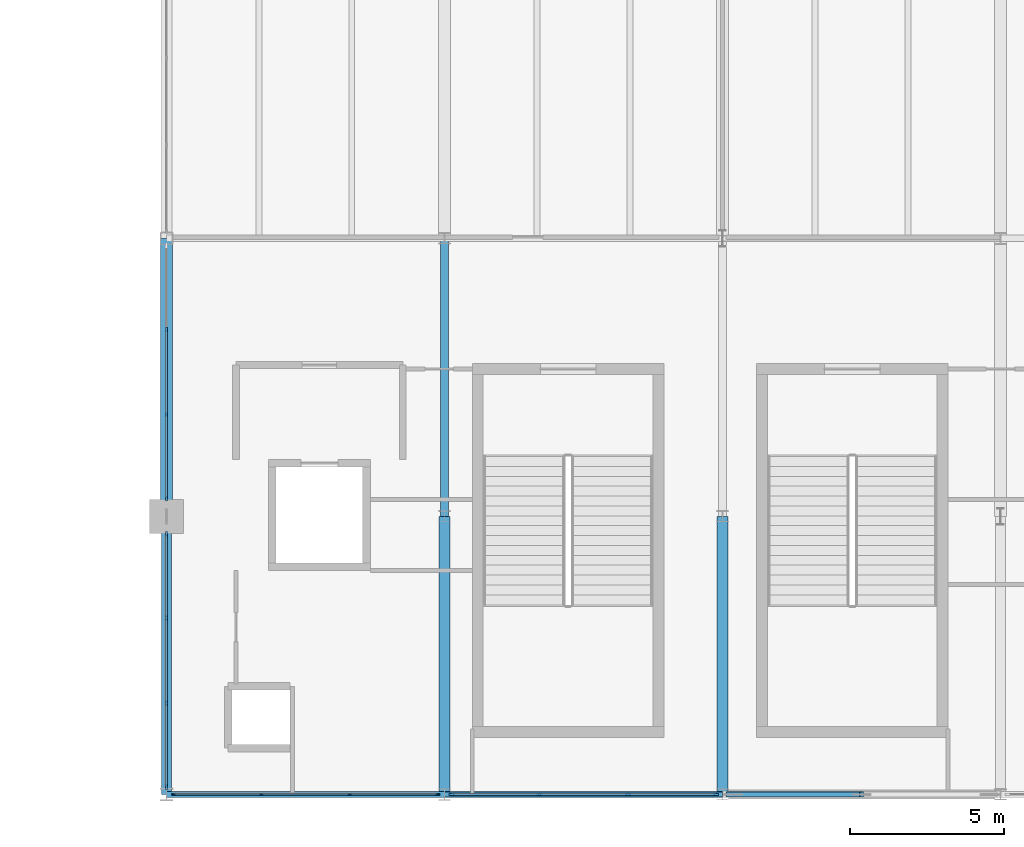
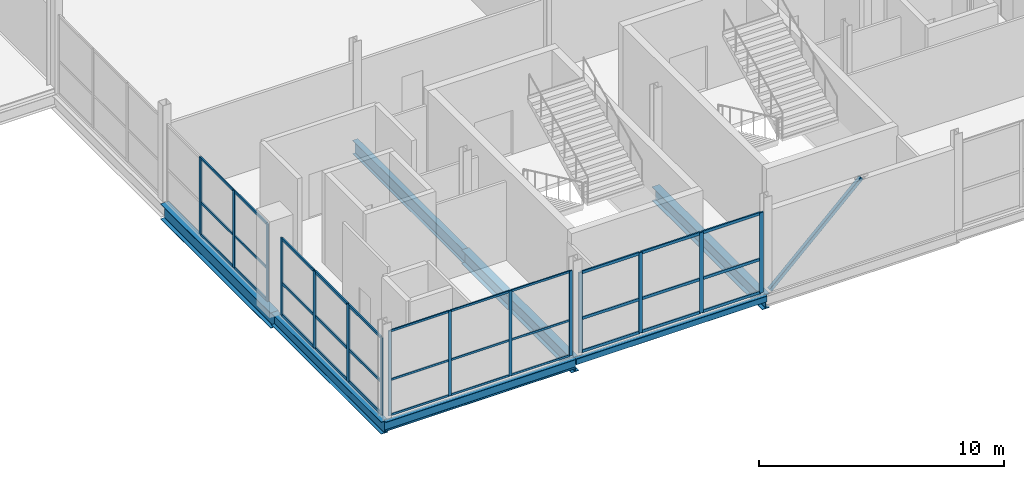
# One storey, part 8 of 50: 49 members, 7 beams, 4 elements without a shape of their own.
"""IFC4 building model written with IfcOpenShell, lengths in metres."""

from ifc_helpers import new_model, si_unit, direction, frame, origin, origin_2d, place, context, subcontext, project, spatial, rectangle, hollow_rectangle, i_section, extrude, material, layer, layer_set, material_profile, profile_set, type_object, element, aggregate, save


model = new_model("IFC4")

# Units and contexts
model_context = context("Model", 3, precision=1e-05, world=origin(), true_north=direction((0.0, 1.0)))
body_context = subcontext(model_context, "Body", "Model", "MODEL_VIEW")
ifc_project = project(units=[si_unit("LENGTHUNIT", "METRE"), si_unit("AREAUNIT", "SQUARE_METRE"), si_unit("VOLUMEUNIT", "CUBIC_METRE"), si_unit("PLANEANGLEUNIT", "RADIAN"), si_unit("MASSUNIT", "GRAM", prefix="KILO")], contexts=[model_context])

# Site, building, storey
site_placement = place(None, origin())
site = spatial("IfcSite", under=ifc_project, at=site_placement, CompositionType="ELEMENT")
building_placement = place(site_placement, origin())
building = spatial("IfcBuilding", under=site, at=building_placement, Name="Qamarlyn Nura Convention Centre", CompositionType="ELEMENT")
storey_placement = place(building_placement, frame((0.0, 0.0, 20.39990234375)))
storey = spatial("IfcBuildingStorey", under=building, at=storey_placement, Name="L04", CompositionType="ELEMENT", Elevation=20.39990234375)

# Beams
ifc_material_1 = material(Name="Steel ASTM A992", Category="steel")
ifc_material_profile_1 = material_profile(ifc_material_1, i_section(OverallWidth=0.323974609375, OverallDepth=0.611083984375, WebThickness=0.0126953125, FlangeThickness=0.01904296875, FilletRadius=0.01611328125, at=origin_2d()), Name="W610X155")
ifc_profile_set_1 = profile_set([ifc_material_profile_1], Name="Steel ASTM A992")
beam_type_1 = type_object("IfcBeamType", Name="BM-GIRD-610", PredefinedType="BEAM", material=ifc_profile_set_1)
beam_1_placement = place(storey_placement, frame((153.0, 0.0, -0.50537109375), z_axis=(0.0, 1.0, 0.0), x_axis=(-1.0, 0.0, 0.0)))
element("IfcBeam", 1, at=beam_1_placement, inside=storey, type_object=beam_type_1, Name="L04 girder 13 A-B", PredefinedType="BEAM", context=body_context, shape_type="SweptSolid", body=[
    extrude(i_section(OverallWidth=0.323974609375, OverallDepth=0.611083984375, WebThickness=0.0126953125, FlangeThickness=0.01904296875, FilletRadius=0.01611328125, at=origin_2d()), origin(), (0.0, 0.0, 1.0), 9.0),
])
ifc_material_profile_2 = material_profile(ifc_material_1, i_section(OverallWidth=0.35498046875, OverallDepth=0.695068359375, WebThickness=0.015380859375, FlangeThickness=0.02490234375, FilletRadius=0.01806640625, at=origin_2d()), Name="W690X217")
ifc_profile_set_2 = profile_set([ifc_material_profile_2], Name="Steel ASTM A992")
beam_type_2 = type_object("IfcBeamType", Name="BM-GIRD-690A", PredefinedType="BEAM", material=ifc_profile_set_2)
for number, where, z_axis, x_axis, name in (
    (2, (162.0, 0.0, -0.54736328125), (0.0, 1.0, 0.0), (-1.0, 0.0, 0.0), "L04 girder 14 A-B"),
    (3, (171.0, 0.0, -0.54736328125), (0.0, 1.0, 0.0), (-1.0, 0.0, 0.0), "L04 girder 15 A-B"),
):
    element("IfcBeam", number, at=place(storey_placement, frame(where, z_axis=z_axis, x_axis=x_axis)), inside=storey, type_object=beam_type_2, Name=name, PredefinedType="BEAM", context=body_context, shape_type="SweptSolid", body=[
        extrude(i_section(OverallWidth=0.35498046875, OverallDepth=0.695068359375, WebThickness=0.015380859375, FlangeThickness=0.02490234375, FilletRadius=0.01806640625, at=origin_2d()), origin(), (0.0, 0.0, 1.0), 9.0),
    ])
ifc_material_profile_3 = material_profile(ifc_material_1, i_section(OverallWidth=0.25390625, OverallDepth=0.68408203125, WebThickness=0.012451171875, FlangeThickness=0.01904296875, FilletRadius=0.01806640625, at=origin_2d()), Name="W690X140")
ifc_profile_set_3 = profile_set([ifc_material_profile_3], Name="Steel ASTM A992")
beam_type_3 = type_object("IfcBeamType", Name="BM-GIRD-690B", PredefinedType="BEAM", material=ifc_profile_set_3)
beam_2_placement = place(storey_placement, frame((162.0, 9.0, -0.5419921875), z_axis=(0.0, 1.0, 0.0), x_axis=(-1.0, 0.0, 0.0)))
element("IfcBeam", 4, at=beam_2_placement, inside=storey, type_object=beam_type_3, Name="L04 girder 14 B-C", PredefinedType="BEAM", context=body_context, shape_type="SweptSolid", body=[
    extrude(i_section(OverallWidth=0.25390625, OverallDepth=0.68408203125, WebThickness=0.012451171875, FlangeThickness=0.01904296875, FilletRadius=0.01806640625, at=origin_2d()), origin(), (0.0, 0.0, 1.0), 9.0),
])
ifc_material_profile_4 = material_profile(ifc_material_1, i_section(OverallWidth=0.381103515625, OverallDepth=0.77294921875, WebThickness=0.0166015625, FlangeThickness=0.027587890625, FilletRadius=0.02001953125, at=origin_2d()), Name="W760X257")
ifc_profile_set_4 = profile_set([ifc_material_profile_4], Name="Steel ASTM A992")
beam_type_4 = type_object("IfcBeamType", Name="BM-GIRD-760", PredefinedType="BEAM", material=ifc_profile_set_4)
beam_3_placement = place(storey_placement, frame((153.0, 9.0, -0.58642578125), z_axis=(0.0, 1.0, 0.0), x_axis=(-1.0, 0.0, 0.0)))
element("IfcBeam", 5, at=beam_3_placement, inside=storey, type_object=beam_type_4, Name="L04 girder 13 B-C", PredefinedType="BEAM", context=body_context, shape_type="SweptSolid", body=[
    extrude(i_section(OverallWidth=0.381103515625, OverallDepth=0.77294921875, WebThickness=0.0166015625, FlangeThickness=0.027587890625, FilletRadius=0.02001953125, at=origin_2d()), origin(), (0.0, 0.0, 1.0), 9.0),
])
ifc_material_profile_5 = material_profile(ifc_material_1, i_section(OverallWidth=0.193115234375, OverallDepth=0.466064453125, WebThickness=0.011474609375, FlangeThickness=0.01904296875, FilletRadius=0.012939453125, at=origin_2d()), Name="W460X97")
ifc_profile_set_5 = profile_set([ifc_material_profile_5], Name="Steel ASTM A992")
beam_type_5 = type_object("IfcBeamType", Name="BM-SPAN-460", PredefinedType="SPANDREL", material=ifc_profile_set_5)
beam_4_placement = place(storey_placement, frame((153.0, 0.0, -0.432861328125), z_axis=(1.0, 0.0, 0.0), x_axis=(0.0, 1.0, 0.0)))
element("IfcBeam", 6, at=beam_4_placement, inside=storey, type_object=beam_type_5, Name="L04 girder A 13-14", PredefinedType="SPANDREL", context=body_context, shape_type="SweptSolid", body=[
    extrude(i_section(OverallWidth=0.193115234375, OverallDepth=0.466064453125, WebThickness=0.011474609375, FlangeThickness=0.01904296875, FilletRadius=0.012939453125, at=origin_2d()), origin(), (0.0, 0.0, 1.0), 9.0),
])
ifc_material_2 = material(Name="Steel ASTM A500 Grade C", Category="steel")
ifc_material_profile_6 = material_profile(ifc_material_2, hollow_rectangle(XDim=0.199951171875, YDim=0.300048828125, WallThickness=0.012451171875, InnerFilletRadius=0.012451171875, OuterFilletRadius=0.02490234375, at=origin_2d()), Name="HSS300X200X12.5")
ifc_profile_set_6 = profile_set([ifc_material_profile_6], Name="Steel ASTM A500 Grade C")
beam_type_6 = type_object("IfcBeamType", Name="BM-SPAN-HSS", PredefinedType="SPANDREL", material=ifc_profile_set_6)
beam_5_placement = place(storey_placement, frame((162.0, 0.0, -0.349853515625), z_axis=(1.0, 0.0, 0.0), x_axis=(0.0, 1.0, 0.0)))
element("IfcBeam", 7, at=beam_5_placement, inside=storey, type_object=beam_type_6, Name="L04 girder A 14-15", PredefinedType="SPANDREL", context=body_context, shape_type="SweptSolid", body=[
    extrude(hollow_rectangle(XDim=0.199951171875, YDim=0.300048828125, WallThickness=0.012451171875, InnerFilletRadius=0.012451171875, OuterFilletRadius=0.02490234375, at=origin_2d()), origin(), (0.0, 0.0, 1.0), 9.0),
])

# Member
ifc_material_profile_7 = material_profile(ifc_material_2, hollow_rectangle(XDim=0.179931640625, YDim=0.179931640625, WallThickness=0.008056640625, InnerFilletRadius=0.008056640625, OuterFilletRadius=0.01611328125, at=origin_2d()), Name="HSS180X180X8")
ifc_profile_set_7 = profile_set([ifc_material_profile_7], Name="Steel ASTM A500 Grade C")
member_type_1 = type_object("IfcMemberType", Name="CBF-BRC-180", PredefinedType="BRACE", material=ifc_profile_set_7)
member_1_placement = place(storey_placement, frame((171.179931640625, 0.0, 0.0), z_axis=(0.725843807895, 0.0, 0.687859554371), x_axis=(0.0, 1.0, 0.0)))
element("IfcMember", 8, at=member_1_placement, inside=storey, type_object=member_type_1, Name="L04 SCBF chevron brace CBF-E1L", PredefinedType="BRACE", context=body_context, shape_type="SweptSolid", body=[
    extrude(hollow_rectangle(XDim=0.179931640625, YDim=0.179931640625, WallThickness=0.008056640625, InnerFilletRadius=0.008056640625, OuterFilletRadius=0.01611328125, at=origin_2d()), origin(), (0.0, 0.0, 1.0), 5.951904296875),
])

# Curtain wall, members
ifc_material_3 = material(Name="Double-silver low-E insulated glass", Category="glass")
ifc_layer_1 = layer(ifc_material_3, 0.179931640625, Name="CW-UNIT-141")
ifc_layer_set_1 = layer_set([ifc_layer_1], Name="Double-silver low-E insulated glass")
curtain_wall_type_1 = type_object("IfcCurtainWallType", Name="CW-UNIT-141", PredefinedType="NOTDEFINED", material=ifc_layer_set_1)
curtain_wall_1_placement = place(storey_placement, origin())
curtain_wall_1 = element("IfcCurtainWall", 9, at=curtain_wall_1_placement, inside=storey, type_object=curtain_wall_type_1, Name="L04 unitised curtain wall STH-1-1", PredefinedType="NOTDEFINED")
ifc_material_4 = material(Name="Champagne-anodised marine aluminium", Category="aluminium")
ifc_material_profile_8 = material_profile(ifc_material_4, rectangle(XDim=0.06005859375, YDim=0.139892578125, at=origin_2d()), Name="ALU MULLION 60x140")
ifc_profile_set_8 = profile_set([ifc_material_profile_8], Name="Champagne-anodised marine aluminium")
member_type_2 = type_object("IfcMemberType", Name="CWM-140", PredefinedType="MULLION", material=ifc_profile_set_8)
member_2_placement = place(storey_placement, frame((161.7705078125, 0.0, 0.0), z_axis=(0.0, 0.0, 1.0), x_axis=(0.0, -1.0, 0.0)))
member_2 = element("IfcMember", 10, at=member_2_placement, type_object=member_type_2, Name="CW141 mullion 1", PredefinedType="MULLION", context=body_context, shape_type="SweptSolid", body=[
    extrude(rectangle(XDim=0.06005859375, YDim=0.139892578125, at=origin_2d()), origin(), (0.0, 0.0, 1.0), 4.2451171875),
])
member_3_placement = place(storey_placement, frame((158.93505859375, 0.0, 0.0), z_axis=(0.0, 0.0, 1.0), x_axis=(0.0, -1.0, 0.0)))
member_3 = element("IfcMember", 11, at=member_3_placement, type_object=member_type_2, Name="CW141 mullion 2", PredefinedType="MULLION", context=body_context, shape_type="SweptSolid", body=[
    extrude(rectangle(XDim=0.06005859375, YDim=0.139892578125, at=origin_2d()), origin(), (0.0, 0.0, 1.0), 4.2451171875),
])
member_4_placement = place(storey_placement, frame((156.06982421875, 0.0, 0.0), z_axis=(0.0, 0.0, 1.0), x_axis=(0.0, -1.0, 0.0)))
member_4 = element("IfcMember", 12, at=member_4_placement, type_object=member_type_2, Name="CW141 mullion 3", PredefinedType="MULLION", context=body_context, shape_type="SweptSolid", body=[
    extrude(rectangle(XDim=0.06005859375, YDim=0.139892578125, at=origin_2d()), origin(), (0.0, 0.0, 1.0), 4.2451171875),
])
member_5_placement = place(storey_placement, frame((153.234619140625, 0.0, 0.0), z_axis=(0.0, 0.0, 1.0), x_axis=(0.0, -1.0, 0.0)))
member_5 = element("IfcMember", 13, at=member_5_placement, type_object=member_type_2, Name="CW141 mullion 4", PredefinedType="MULLION", context=body_context, shape_type="SweptSolid", body=[
    extrude(rectangle(XDim=0.06005859375, YDim=0.139892578125, at=origin_2d()), origin(), (0.0, 0.0, 1.0), 4.2451171875),
])

ifc_layer_2 = layer(ifc_material_3, 0.179931640625, Name="CW-UNIT-145")
ifc_layer_set_2 = layer_set([ifc_layer_2], Name="Double-silver low-E insulated glass")
curtain_wall_type_2 = type_object("IfcCurtainWallType", Name="CW-UNIT-145", PredefinedType="NOTDEFINED", material=ifc_layer_set_2)
curtain_wall_2_placement = place(storey_placement, origin())
curtain_wall_2 = element("IfcCurtainWall", 14, at=curtain_wall_2_placement, inside=storey, type_object=curtain_wall_type_2, Name="L04 unitised curtain wall FCW-9-1", PredefinedType="NOTDEFINED")
ifc_material_profile_9 = material_profile(ifc_material_4, rectangle(XDim=0.06494140625, YDim=0.159912109375, at=origin_2d()), Name="ALU MULLION 65x160")
ifc_profile_set_9 = profile_set([ifc_material_profile_9], Name="Champagne-anodised marine aluminium")
member_type_3 = type_object("IfcMemberType", Name="CWM-160", PredefinedType="MULLION", material=ifc_profile_set_9)
member_6_placement = place(storey_placement, frame((153.0, 9.58251953125, 0.0), z_axis=(0.0, 0.0, 1.0), x_axis=(-1.0, 0.0, 0.0)))
member_6 = element("IfcMember", 15, at=member_6_placement, type_object=member_type_3, Name="CW145 mullion 1", PredefinedType="MULLION", context=body_context, shape_type="SweptSolid", body=[
    extrude(rectangle(XDim=0.06494140625, YDim=0.159912109375, at=origin_2d()), origin(), (0.0, 0.0, 1.0), 3.861083984375),
])
member_7_placement = place(storey_placement, frame((153.0, 12.300048828125, 0.0), z_axis=(0.0, 0.0, 1.0), x_axis=(-1.0, 0.0, 0.0)))
member_7 = element("IfcMember", 16, at=member_7_placement, type_object=member_type_3, Name="CW145 mullion 2", PredefinedType="MULLION", context=body_context, shape_type="SweptSolid", body=[
    extrude(rectangle(XDim=0.06494140625, YDim=0.159912109375, at=origin_2d()), origin(), (0.0, 0.0, 1.0), 3.861083984375),
])
member_8_placement = place(storey_placement, frame((153.0, 15.050048828125, 0.0), z_axis=(0.0, 0.0, 1.0), x_axis=(-1.0, 0.0, 0.0)))
member_8 = element("IfcMember", 17, at=member_8_placement, type_object=member_type_3, Name="CW145 mullion 3", PredefinedType="MULLION", context=body_context, shape_type="SweptSolid", body=[
    extrude(rectangle(XDim=0.06494140625, YDim=0.159912109375, at=origin_2d()), origin(), (0.0, 0.0, 1.0), 3.861083984375),
])

ifc_layer_3 = layer(ifc_material_3, 0.179931640625, Name="CW-UNIT-142")
ifc_layer_set_3 = layer_set([ifc_layer_3], Name="Double-silver low-E insulated glass")
curtain_wall_type_3 = type_object("IfcCurtainWallType", Name="CW-UNIT-142", PredefinedType="NOTDEFINED", material=ifc_layer_set_3)
curtain_wall_3_placement = place(storey_placement, origin())
curtain_wall_3 = element("IfcCurtainWall", 18, at=curtain_wall_3_placement, inside=storey, type_object=curtain_wall_type_3, Name="L04 unitised curtain wall STH-2-1", PredefinedType="NOTDEFINED")
ifc_material_profile_10 = material_profile(ifc_material_4, rectangle(XDim=0.070068359375, YDim=0.179931640625, at=origin_2d()), Name="ALU MULLION 70x180")
ifc_profile_set_10 = profile_set([ifc_material_profile_10], Name="Champagne-anodised marine aluminium")
member_type_4 = type_object("IfcMemberType", Name="CWM-180", PredefinedType="MULLION", material=ifc_profile_set_10)
member_9_placement = place(storey_placement, frame((170.778076171875, 0.0, 0.0), z_axis=(0.0, 0.0, 1.0), x_axis=(0.0, -1.0, 0.0)))
member_9 = element("IfcMember", 19, at=member_9_placement, type_object=member_type_4, Name="CW142 mullion 1", PredefinedType="MULLION", context=body_context, shape_type="SweptSolid", body=[
    extrude(rectangle(XDim=0.070068359375, YDim=0.179931640625, at=origin_2d()), origin(), (0.0, 0.0, 1.0), 4.006103515625),
])
member_10_placement = place(storey_placement, frame((167.94189453125, 0.0, 0.0), z_axis=(0.0, 0.0, 1.0), x_axis=(0.0, -1.0, 0.0)))
member_10 = element("IfcMember", 20, at=member_10_placement, type_object=member_type_4, Name="CW142 mullion 2", PredefinedType="MULLION", context=body_context, shape_type="SweptSolid", body=[
    extrude(rectangle(XDim=0.070068359375, YDim=0.179931640625, at=origin_2d()), origin(), (0.0, 0.0, 1.0), 4.006103515625),
])
member_11_placement = place(storey_placement, frame((165.070556640625, 0.0, 0.0), z_axis=(0.0, 0.0, 1.0), x_axis=(0.0, -1.0, 0.0)))
member_11 = element("IfcMember", 21, at=member_11_placement, type_object=member_type_4, Name="CW142 mullion 3", PredefinedType="MULLION", context=body_context, shape_type="SweptSolid", body=[
    extrude(rectangle(XDim=0.070068359375, YDim=0.179931640625, at=origin_2d()), origin(), (0.0, 0.0, 1.0), 4.006103515625),
])
member_12_placement = place(storey_placement, frame((162.234619140625, 0.0, 0.0), z_axis=(0.0, 0.0, 1.0), x_axis=(0.0, -1.0, 0.0)))
member_12 = element("IfcMember", 22, at=member_12_placement, type_object=member_type_4, Name="CW142 mullion 4", PredefinedType="MULLION", context=body_context, shape_type="SweptSolid", body=[
    extrude(rectangle(XDim=0.070068359375, YDim=0.179931640625, at=origin_2d()), origin(), (0.0, 0.0, 1.0), 4.006103515625),
])

curtain_wall_4_placement = place(storey_placement, origin())
curtain_wall_4 = element("IfcCurtainWall", 23, at=curtain_wall_4_placement, inside=storey, type_object=curtain_wall_type_2, Name="L04 unitised curtain wall FCW-0-1", PredefinedType="NOTDEFINED")
member_13_placement = place(storey_placement, frame((153.0, 0.24755859375, 0.0), z_axis=(0.0, 0.0, 1.0), x_axis=(-1.0, 0.0, 0.0)))
member_13 = element("IfcMember", 24, at=member_13_placement, type_object=member_type_4, Name="CW145 mullion 1", PredefinedType="MULLION", context=body_context, shape_type="SweptSolid", body=[
    extrude(rectangle(XDim=0.070068359375, YDim=0.179931640625, at=origin_2d()), origin(), (0.0, 0.0, 1.0), 3.85009765625),
])
member_14_placement = place(storey_placement, frame((153.0, 2.958251953125, 0.0), z_axis=(0.0, 0.0, 1.0), x_axis=(-1.0, 0.0, 0.0)))
member_14 = element("IfcMember", 25, at=member_14_placement, type_object=member_type_4, Name="CW145 mullion 2", PredefinedType="MULLION", context=body_context, shape_type="SweptSolid", body=[
    extrude(rectangle(XDim=0.070068359375, YDim=0.179931640625, at=origin_2d()), origin(), (0.0, 0.0, 1.0), 3.85009765625),
])
member_15_placement = place(storey_placement, frame((153.0, 5.7041015625, 0.0), z_axis=(0.0, 0.0, 1.0), x_axis=(-1.0, 0.0, 0.0)))
member_15 = element("IfcMember", 26, at=member_15_placement, type_object=member_type_4, Name="CW145 mullion 3", PredefinedType="MULLION", context=body_context, shape_type="SweptSolid", body=[
    extrude(rectangle(XDim=0.070068359375, YDim=0.179931640625, at=origin_2d()), origin(), (0.0, 0.0, 1.0), 3.85009765625),
])
member_16_placement = place(storey_placement, frame((153.0, 8.4150390625, 0.0), z_axis=(0.0, 0.0, 1.0), x_axis=(-1.0, 0.0, 0.0)))
member_16 = element("IfcMember", 27, at=member_16_placement, type_object=member_type_4, Name="CW145 mullion 4", PredefinedType="MULLION", context=body_context, shape_type="SweptSolid", body=[
    extrude(rectangle(XDim=0.070068359375, YDim=0.179931640625, at=origin_2d()), origin(), (0.0, 0.0, 1.0), 3.85009765625),
])

# Member
ifc_material_profile_11 = material_profile(ifc_material_4, rectangle(XDim=0.06005859375, YDim=0.10009765625, at=origin_2d()), Name="ALU TRANSOM 60x100")
ifc_profile_set_11 = profile_set([ifc_material_profile_11], Name="Champagne-anodised marine aluminium")
member_type_5 = type_object("IfcMemberType", Name="CWT-100", PredefinedType="USERDEFINED", material=ifc_profile_set_11)
member_17_placement = place(storey_placement, frame((161.740478515625, 0.0, 0.030029296875), z_axis=(-1.0, 0.0, 0.0), x_axis=(0.0, -1.0, 0.0)))
member_17 = element("IfcMember", 28, at=member_17_placement, type_object=member_type_5, Name="CW141 transom 1.1", ObjectType="TRANSOM", PredefinedType="USERDEFINED", context=body_context, shape_type="SweptSolid", body=[
    extrude(rectangle(XDim=0.06005859375, YDim=0.10009765625, at=origin_2d()), origin(), (0.0, 0.0, 1.0), 2.775390625),
])

member_18_placement = place(storey_placement, frame((161.740478515625, 0.0, 1.783203125), z_axis=(-1.0, 0.0, 0.0), x_axis=(0.0, -1.0, 0.0)))
member_18 = element("IfcMember", 29, at=member_18_placement, type_object=member_type_5, Name="CW141 transom 1.2", ObjectType="TRANSOM", PredefinedType="USERDEFINED", context=body_context, shape_type="SweptSolid", body=[
    extrude(rectangle(XDim=0.06005859375, YDim=0.10009765625, at=origin_2d()), origin(), (0.0, 0.0, 1.0), 2.775390625),
])

member_19_placement = place(storey_placement, frame((161.740478515625, 0.0, 4.215087890625), z_axis=(-1.0, 0.0, 0.0), x_axis=(0.0, -1.0, 0.0)))
member_19 = element("IfcMember", 30, at=member_19_placement, type_object=member_type_5, Name="CW141 transom 1.3", ObjectType="TRANSOM", PredefinedType="USERDEFINED", context=body_context, shape_type="SweptSolid", body=[
    extrude(rectangle(XDim=0.06005859375, YDim=0.10009765625, at=origin_2d()), origin(), (0.0, 0.0, 1.0), 2.775390625),
])

member_20_placement = place(storey_placement, frame((158.9052734375, 0.0, 0.030029296875), z_axis=(-1.0, 0.0, 0.0), x_axis=(0.0, -1.0, 0.0)))
member_20 = element("IfcMember", 31, at=member_20_placement, type_object=member_type_5, Name="CW141 transom 2.1", ObjectType="TRANSOM", PredefinedType="USERDEFINED", context=body_context, shape_type="SweptSolid", body=[
    extrude(rectangle(XDim=0.06005859375, YDim=0.10009765625, at=origin_2d()), origin(), (0.0, 0.0, 1.0), 2.805419921875),
])

member_21_placement = place(storey_placement, frame((158.9052734375, 0.0, 1.783203125), z_axis=(-1.0, 0.0, 0.0), x_axis=(0.0, -1.0, 0.0)))
member_21 = element("IfcMember", 32, at=member_21_placement, type_object=member_type_5, Name="CW141 transom 2.2", ObjectType="TRANSOM", PredefinedType="USERDEFINED", context=body_context, shape_type="SweptSolid", body=[
    extrude(rectangle(XDim=0.06005859375, YDim=0.10009765625, at=origin_2d()), origin(), (0.0, 0.0, 1.0), 2.805419921875),
])

member_22_placement = place(storey_placement, frame((158.9052734375, 0.0, 4.215087890625), z_axis=(-1.0, 0.0, 0.0), x_axis=(0.0, -1.0, 0.0)))
member_22 = element("IfcMember", 33, at=member_22_placement, type_object=member_type_5, Name="CW141 transom 2.3", ObjectType="TRANSOM", PredefinedType="USERDEFINED", context=body_context, shape_type="SweptSolid", body=[
    extrude(rectangle(XDim=0.06005859375, YDim=0.10009765625, at=origin_2d()), origin(), (0.0, 0.0, 1.0), 2.805419921875),
])

member_23_placement = place(storey_placement, frame((156.039794921875, 0.0, 0.030029296875), z_axis=(-1.0, 0.0, 0.0), x_axis=(0.0, -1.0, 0.0)))
member_23 = element("IfcMember", 34, at=member_23_placement, type_object=member_type_5, Name="CW141 transom 3.1", ObjectType="TRANSOM", PredefinedType="USERDEFINED", context=body_context, shape_type="SweptSolid", body=[
    extrude(rectangle(XDim=0.06005859375, YDim=0.10009765625, at=origin_2d()), origin(), (0.0, 0.0, 1.0), 2.775390625),
])

member_24_placement = place(storey_placement, frame((156.039794921875, 0.0, 1.783203125), z_axis=(-1.0, 0.0, 0.0), x_axis=(0.0, -1.0, 0.0)))
member_24 = element("IfcMember", 35, at=member_24_placement, type_object=member_type_5, Name="CW141 transom 3.2", ObjectType="TRANSOM", PredefinedType="USERDEFINED", context=body_context, shape_type="SweptSolid", body=[
    extrude(rectangle(XDim=0.06005859375, YDim=0.10009765625, at=origin_2d()), origin(), (0.0, 0.0, 1.0), 2.775390625),
])

member_25_placement = place(storey_placement, frame((156.039794921875, 0.0, 4.215087890625), z_axis=(-1.0, 0.0, 0.0), x_axis=(0.0, -1.0, 0.0)))
member_25 = element("IfcMember", 36, at=member_25_placement, type_object=member_type_5, Name="CW141 transom 3.3", ObjectType="TRANSOM", PredefinedType="USERDEFINED", context=body_context, shape_type="SweptSolid", body=[
    extrude(rectangle(XDim=0.06005859375, YDim=0.10009765625, at=origin_2d()), origin(), (0.0, 0.0, 1.0), 2.775390625),
])

aggregate(curtain_wall_1, [member_2, member_3, member_4, member_5, member_17, member_18, member_19, member_20, member_21, member_22, member_23, member_24, member_25])

ifc_material_profile_12 = material_profile(ifc_material_4, rectangle(XDim=0.06494140625, YDim=0.1201171875, at=origin_2d()), Name="ALU TRANSOM 65x120")
ifc_profile_set_12 = profile_set([ifc_material_profile_12], Name="Champagne-anodised marine aluminium")
member_type_6 = type_object("IfcMemberType", Name="CWT-120", PredefinedType="USERDEFINED", material=ifc_profile_set_12)
member_26_placement = place(storey_placement, frame((153.0, 9.614990234375, 0.03271484375), z_axis=(0.0, 1.0, 0.0), x_axis=(-1.0, 0.0, 0.0)))
member_26 = element("IfcMember", 37, at=member_26_placement, type_object=member_type_6, Name="CW145 transom 1.1", ObjectType="TRANSOM", PredefinedType="USERDEFINED", context=body_context, shape_type="SweptSolid", body=[
    extrude(rectangle(XDim=0.06494140625, YDim=0.1201171875, at=origin_2d()), origin(), (0.0, 0.0, 1.0), 2.652587890625),
])

member_27_placement = place(storey_placement, frame((153.0, 9.614990234375, 1.6220703125), z_axis=(0.0, 1.0, 0.0), x_axis=(-1.0, 0.0, 0.0)))
member_27 = element("IfcMember", 38, at=member_27_placement, type_object=member_type_6, Name="CW145 transom 1.2", ObjectType="TRANSOM", PredefinedType="USERDEFINED", context=body_context, shape_type="SweptSolid", body=[
    extrude(rectangle(XDim=0.06494140625, YDim=0.1201171875, at=origin_2d()), origin(), (0.0, 0.0, 1.0), 2.652587890625),
])

member_28_placement = place(storey_placement, frame((153.0, 9.614990234375, 3.82861328125), z_axis=(0.0, 1.0, 0.0), x_axis=(-1.0, 0.0, 0.0)))
member_28 = element("IfcMember", 39, at=member_28_placement, type_object=member_type_6, Name="CW145 transom 1.3", ObjectType="TRANSOM", PredefinedType="USERDEFINED", context=body_context, shape_type="SweptSolid", body=[
    extrude(rectangle(XDim=0.06494140625, YDim=0.1201171875, at=origin_2d()), origin(), (0.0, 0.0, 1.0), 2.652587890625),
])

member_29_placement = place(storey_placement, frame((153.0, 12.33251953125, 0.03271484375), z_axis=(0.0, 1.0, 0.0), x_axis=(-1.0, 0.0, 0.0)))
member_29 = element("IfcMember", 40, at=member_29_placement, type_object=member_type_6, Name="CW145 transom 2.1", ObjectType="TRANSOM", PredefinedType="USERDEFINED", context=body_context, shape_type="SweptSolid", body=[
    extrude(rectangle(XDim=0.06494140625, YDim=0.1201171875, at=origin_2d()), origin(), (0.0, 0.0, 1.0), 2.68505859375),
])

member_30_placement = place(storey_placement, frame((153.0, 12.33251953125, 1.6220703125), z_axis=(0.0, 1.0, 0.0), x_axis=(-1.0, 0.0, 0.0)))
member_30 = element("IfcMember", 41, at=member_30_placement, type_object=member_type_6, Name="CW145 transom 2.2", ObjectType="TRANSOM", PredefinedType="USERDEFINED", context=body_context, shape_type="SweptSolid", body=[
    extrude(rectangle(XDim=0.06494140625, YDim=0.1201171875, at=origin_2d()), origin(), (0.0, 0.0, 1.0), 2.68505859375),
])

member_31_placement = place(storey_placement, frame((153.0, 12.33251953125, 3.82861328125), z_axis=(0.0, 1.0, 0.0), x_axis=(-1.0, 0.0, 0.0)))
member_31 = element("IfcMember", 42, at=member_31_placement, type_object=member_type_6, Name="CW145 transom 2.3", ObjectType="TRANSOM", PredefinedType="USERDEFINED", context=body_context, shape_type="SweptSolid", body=[
    extrude(rectangle(XDim=0.06494140625, YDim=0.1201171875, at=origin_2d()), origin(), (0.0, 0.0, 1.0), 2.68505859375),
])

aggregate(curtain_wall_2, [member_6, member_7, member_8, member_26, member_27, member_28, member_29, member_30, member_31])

ifc_material_profile_13 = material_profile(ifc_material_4, rectangle(XDim=0.070068359375, YDim=0.139892578125, at=origin_2d()), Name="ALU TRANSOM 70x140")
ifc_profile_set_13 = profile_set([ifc_material_profile_13], Name="Champagne-anodised marine aluminium")
member_type_7 = type_object("IfcMemberType", Name="CWT-140", PredefinedType="USERDEFINED", material=ifc_profile_set_13)
member_32_placement = place(storey_placement, frame((170.742919921875, 0.0, 0.03515625), z_axis=(-1.0, 0.0, 0.0), x_axis=(0.0, -1.0, 0.0)))
member_32 = element("IfcMember", 43, at=member_32_placement, type_object=member_type_7, Name="CW142 transom 1.1", ObjectType="TRANSOM", PredefinedType="USERDEFINED", context=body_context, shape_type="SweptSolid", body=[
    extrude(rectangle(XDim=0.070068359375, YDim=0.139892578125, at=origin_2d()), origin(), (0.0, 0.0, 1.0), 2.76611328125),
])

member_33_placement = place(storey_placement, frame((170.742919921875, 0.0, 1.68310546875), z_axis=(-1.0, 0.0, 0.0), x_axis=(0.0, -1.0, 0.0)))
member_33 = element("IfcMember", 44, at=member_33_placement, type_object=member_type_7, Name="CW142 transom 1.2", ObjectType="TRANSOM", PredefinedType="USERDEFINED", context=body_context, shape_type="SweptSolid", body=[
    extrude(rectangle(XDim=0.070068359375, YDim=0.139892578125, at=origin_2d()), origin(), (0.0, 0.0, 1.0), 2.76611328125),
])

member_34_placement = place(storey_placement, frame((170.742919921875, 0.0, 3.97119140625), z_axis=(-1.0, 0.0, 0.0), x_axis=(0.0, -1.0, 0.0)))
member_34 = element("IfcMember", 45, at=member_34_placement, type_object=member_type_7, Name="CW142 transom 1.3", ObjectType="TRANSOM", PredefinedType="USERDEFINED", context=body_context, shape_type="SweptSolid", body=[
    extrude(rectangle(XDim=0.070068359375, YDim=0.139892578125, at=origin_2d()), origin(), (0.0, 0.0, 1.0), 2.76611328125),
])

member_35_placement = place(storey_placement, frame((167.90673828125, 0.0, 0.03515625), z_axis=(-1.0, 0.0, 0.0), x_axis=(0.0, -1.0, 0.0)))
member_35 = element("IfcMember", 46, at=member_35_placement, type_object=member_type_7, Name="CW142 transom 2.1", ObjectType="TRANSOM", PredefinedType="USERDEFINED", context=body_context, shape_type="SweptSolid", body=[
    extrude(rectangle(XDim=0.070068359375, YDim=0.139892578125, at=origin_2d()), origin(), (0.0, 0.0, 1.0), 2.801025390625),
])

member_36_placement = place(storey_placement, frame((167.90673828125, 0.0, 1.68310546875), z_axis=(-1.0, 0.0, 0.0), x_axis=(0.0, -1.0, 0.0)))
member_36 = element("IfcMember", 47, at=member_36_placement, type_object=member_type_7, Name="CW142 transom 2.2", ObjectType="TRANSOM", PredefinedType="USERDEFINED", context=body_context, shape_type="SweptSolid", body=[
    extrude(rectangle(XDim=0.070068359375, YDim=0.139892578125, at=origin_2d()), origin(), (0.0, 0.0, 1.0), 2.801025390625),
])

member_37_placement = place(storey_placement, frame((167.90673828125, 0.0, 3.97119140625), z_axis=(-1.0, 0.0, 0.0), x_axis=(0.0, -1.0, 0.0)))
member_37 = element("IfcMember", 48, at=member_37_placement, type_object=member_type_7, Name="CW142 transom 2.3", ObjectType="TRANSOM", PredefinedType="USERDEFINED", context=body_context, shape_type="SweptSolid", body=[
    extrude(rectangle(XDim=0.070068359375, YDim=0.139892578125, at=origin_2d()), origin(), (0.0, 0.0, 1.0), 2.801025390625),
])

member_38_placement = place(storey_placement, frame((165.03564453125, 0.0, 0.03515625), z_axis=(-1.0, 0.0, 0.0), x_axis=(0.0, -1.0, 0.0)))
member_38 = element("IfcMember", 49, at=member_38_placement, type_object=member_type_7, Name="CW142 transom 3.1", ObjectType="TRANSOM", PredefinedType="USERDEFINED", context=body_context, shape_type="SweptSolid", body=[
    extrude(rectangle(XDim=0.070068359375, YDim=0.139892578125, at=origin_2d()), origin(), (0.0, 0.0, 1.0), 2.76611328125),
])

member_39_placement = place(storey_placement, frame((165.03564453125, 0.0, 1.68310546875), z_axis=(-1.0, 0.0, 0.0), x_axis=(0.0, -1.0, 0.0)))
member_39 = element("IfcMember", 50, at=member_39_placement, type_object=member_type_7, Name="CW142 transom 3.2", ObjectType="TRANSOM", PredefinedType="USERDEFINED", context=body_context, shape_type="SweptSolid", body=[
    extrude(rectangle(XDim=0.070068359375, YDim=0.139892578125, at=origin_2d()), origin(), (0.0, 0.0, 1.0), 2.76611328125),
])

member_40_placement = place(storey_placement, frame((165.03564453125, 0.0, 3.97119140625), z_axis=(-1.0, 0.0, 0.0), x_axis=(0.0, -1.0, 0.0)))
member_40 = element("IfcMember", 51, at=member_40_placement, type_object=member_type_7, Name="CW142 transom 3.3", ObjectType="TRANSOM", PredefinedType="USERDEFINED", context=body_context, shape_type="SweptSolid", body=[
    extrude(rectangle(XDim=0.070068359375, YDim=0.139892578125, at=origin_2d()), origin(), (0.0, 0.0, 1.0), 2.76611328125),
])

aggregate(curtain_wall_3, [member_9, member_10, member_11, member_12, member_32, member_33, member_34, member_35, member_36, member_37, member_38, member_39, member_40])

member_41_placement = place(storey_placement, frame((153.0, 0.282470703125, 0.03515625), z_axis=(0.0, 1.0, 0.0), x_axis=(-1.0, 0.0, 0.0)))
member_41 = element("IfcMember", 52, at=member_41_placement, type_object=member_type_7, Name="CW145 transom 1.1", ObjectType="TRANSOM", PredefinedType="USERDEFINED", context=body_context, shape_type="SweptSolid", body=[
    extrude(rectangle(XDim=0.070068359375, YDim=0.139892578125, at=origin_2d()), origin(), (0.0, 0.0, 1.0), 2.640869140625),
])

member_42_placement = place(storey_placement, frame((153.0, 0.282470703125, 1.6171875), z_axis=(0.0, 1.0, 0.0), x_axis=(-1.0, 0.0, 0.0)))
member_42 = element("IfcMember", 53, at=member_42_placement, type_object=member_type_7, Name="CW145 transom 1.2", ObjectType="TRANSOM", PredefinedType="USERDEFINED", context=body_context, shape_type="SweptSolid", body=[
    extrude(rectangle(XDim=0.070068359375, YDim=0.139892578125, at=origin_2d()), origin(), (0.0, 0.0, 1.0), 2.640869140625),
])

member_43_placement = place(storey_placement, frame((153.0, 0.282470703125, 3.815185546875), z_axis=(0.0, 1.0, 0.0), x_axis=(-1.0, 0.0, 0.0)))
member_43 = element("IfcMember", 54, at=member_43_placement, type_object=member_type_7, Name="CW145 transom 1.3", ObjectType="TRANSOM", PredefinedType="USERDEFINED", context=body_context, shape_type="SweptSolid", body=[
    extrude(rectangle(XDim=0.070068359375, YDim=0.139892578125, at=origin_2d()), origin(), (0.0, 0.0, 1.0), 2.640869140625),
])

member_44_placement = place(storey_placement, frame((153.0, 2.993408203125, 0.03515625), z_axis=(0.0, 1.0, 0.0), x_axis=(-1.0, 0.0, 0.0)))
member_44 = element("IfcMember", 55, at=member_44_placement, type_object=member_type_7, Name="CW145 transom 2.1", ObjectType="TRANSOM", PredefinedType="USERDEFINED", context=body_context, shape_type="SweptSolid", body=[
    extrude(rectangle(XDim=0.070068359375, YDim=0.139892578125, at=origin_2d()), origin(), (0.0, 0.0, 1.0), 2.67578125),
])

member_45_placement = place(storey_placement, frame((153.0, 2.993408203125, 1.6171875), z_axis=(0.0, 1.0, 0.0), x_axis=(-1.0, 0.0, 0.0)))
member_45 = element("IfcMember", 56, at=member_45_placement, type_object=member_type_7, Name="CW145 transom 2.2", ObjectType="TRANSOM", PredefinedType="USERDEFINED", context=body_context, shape_type="SweptSolid", body=[
    extrude(rectangle(XDim=0.070068359375, YDim=0.139892578125, at=origin_2d()), origin(), (0.0, 0.0, 1.0), 2.67578125),
])

member_46_placement = place(storey_placement, frame((153.0, 2.993408203125, 3.815185546875), z_axis=(0.0, 1.0, 0.0), x_axis=(-1.0, 0.0, 0.0)))
member_46 = element("IfcMember", 57, at=member_46_placement, type_object=member_type_7, Name="CW145 transom 2.3", ObjectType="TRANSOM", PredefinedType="USERDEFINED", context=body_context, shape_type="SweptSolid", body=[
    extrude(rectangle(XDim=0.070068359375, YDim=0.139892578125, at=origin_2d()), origin(), (0.0, 0.0, 1.0), 2.67578125),
])

member_47_placement = place(storey_placement, frame((153.0, 5.7392578125, 0.03515625), z_axis=(0.0, 1.0, 0.0), x_axis=(-1.0, 0.0, 0.0)))
member_47 = element("IfcMember", 58, at=member_47_placement, type_object=member_type_7, Name="CW145 transom 3.1", ObjectType="TRANSOM", PredefinedType="USERDEFINED", context=body_context, shape_type="SweptSolid", body=[
    extrude(rectangle(XDim=0.070068359375, YDim=0.139892578125, at=origin_2d()), origin(), (0.0, 0.0, 1.0), 2.640625),
])

member_48_placement = place(storey_placement, frame((153.0, 5.7392578125, 1.6171875), z_axis=(0.0, 1.0, 0.0), x_axis=(-1.0, 0.0, 0.0)))
member_48 = element("IfcMember", 59, at=member_48_placement, type_object=member_type_7, Name="CW145 transom 3.2", ObjectType="TRANSOM", PredefinedType="USERDEFINED", context=body_context, shape_type="SweptSolid", body=[
    extrude(rectangle(XDim=0.070068359375, YDim=0.139892578125, at=origin_2d()), origin(), (0.0, 0.0, 1.0), 2.640625),
])

member_49_placement = place(storey_placement, frame((153.0, 5.7392578125, 3.815185546875), z_axis=(0.0, 1.0, 0.0), x_axis=(-1.0, 0.0, 0.0)))
member_49 = element("IfcMember", 60, at=member_49_placement, type_object=member_type_7, Name="CW145 transom 3.3", ObjectType="TRANSOM", PredefinedType="USERDEFINED", context=body_context, shape_type="SweptSolid", body=[
    extrude(rectangle(XDim=0.070068359375, YDim=0.139892578125, at=origin_2d()), origin(), (0.0, 0.0, 1.0), 2.640625),
])

aggregate(curtain_wall_4, [member_13, member_14, member_15, member_16, member_41, member_42, member_43, member_44, member_45, member_46, member_47, member_48, member_49])

save(model, "model.ifc")
